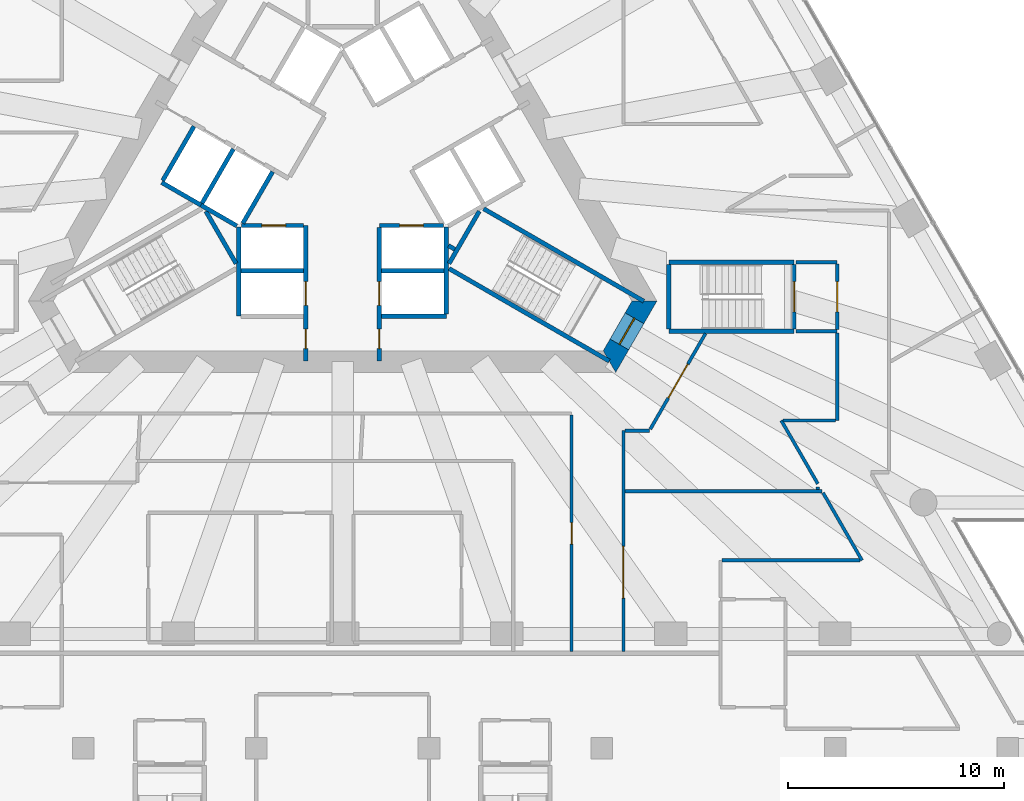
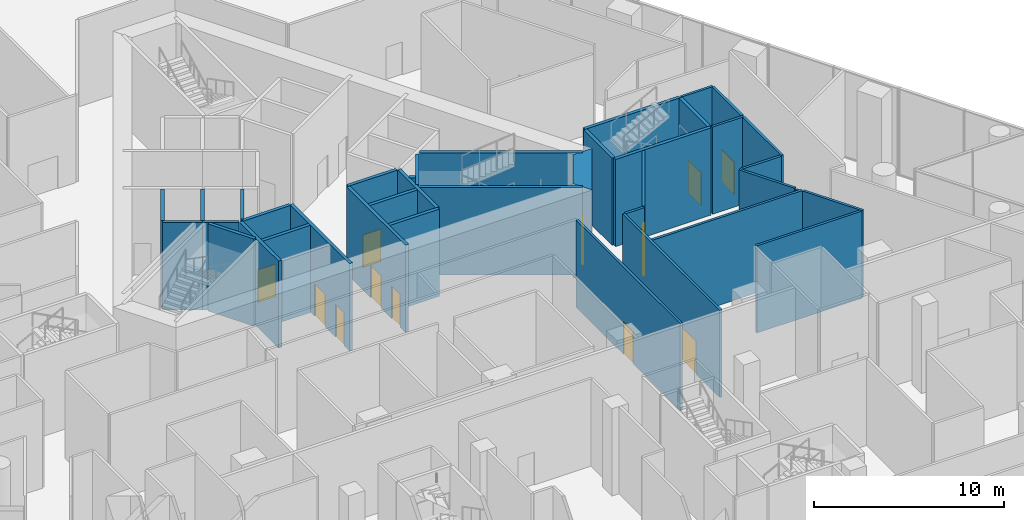
# One storey, part 26 of 36: 38 walls, 12 doors, 12 openings.
"""IFC4 building model written with IfcOpenShell, lengths in metres."""

from ifc_helpers import new_model, si_unit, direction, frame, frame_2d, origin, place, context, subcontext, project, spatial, polyline, rectangle, outline, extrude, material, layer, layer_set, type_object, element, fill, save


model = new_model("IFC4")

# Units and contexts
model_context = context("Model", 3, precision=1e-05, world=origin(), true_north=direction((0.0, 1.0)))
body_context = subcontext(model_context, "Body", "Model", "MODEL_VIEW")
ifc_project = project(units=[si_unit("LENGTHUNIT", "METRE"), si_unit("AREAUNIT", "SQUARE_METRE"), si_unit("VOLUMEUNIT", "CUBIC_METRE"), si_unit("PLANEANGLEUNIT", "RADIAN"), si_unit("MASSUNIT", "GRAM", prefix="KILO")], contexts=[model_context])

# Site, building, storey
site_placement = place(None, origin())
site = spatial("IfcSite", under=ifc_project, at=site_placement, CompositionType="ELEMENT")
building_placement = place(site_placement, origin())
building = spatial("IfcBuilding", under=site, at=building_placement, Name="Triada Interchange Tower", CompositionType="ELEMENT")
storey_placement = place(building_placement, frame((0.0, 0.0, 8.5)))
storey = spatial("IfcBuildingStorey", under=building, at=storey_placement, Name="L01", CompositionType="ELEMENT", Elevation=8.5)

# Walls
ifc_material_1 = material(Name="Concrete C30/37", Category="concrete")
ifc_layer_1 = layer(ifc_material_1, 0.199951171875)
ifc_layer_set_1 = layer_set([ifc_layer_1], Name="CORE WALL 200 EI 120")
wall_type_1 = type_object("IfcWallType", Name="CORE WALL 200 EI 120", PredefinedType="SOLIDWALL", material=ifc_layer_set_1)
wall_1_placement = place(storey_placement, frame((-8.3759765625, -0.70703125, 0.0), z_axis=(0.0, 0.0, 1.0), x_axis=(0.866067520717, -0.499927044236, 0.0)))
element("IfcWall", 1, at=wall_1_placement, inside=storey, type_object=wall_type_1, Name="Wall L01 187", PredefinedType="SOLIDWALL", context=body_context, shape_type="SweptSolid", body=[
    extrude(rectangle(XDim=2.100341796875, YDim=0.199951171875, at=frame_2d((1.05029296875, 0.0))), origin(), (0.0, 0.0, 1.0), 5.60009765625),
])
wall_2_placement = place(storey_placement, frame((-8.325927734375, -0.6201171875, 0.0), z_axis=(0.0, 0.0, 1.0), x_axis=(0.500023687443, 0.866011727401, 0.0)))
element("IfcWall", 2, at=wall_2_placement, inside=storey, type_object=wall_type_1, Name="Wall L01 188", PredefinedType="SOLIDWALL", context=body_context, shape_type="SweptSolid", body=[
    extrude(rectangle(XDim=2.899658203125, YDim=0.199951171875, at=frame_2d((1.44970703125, 0.0))), origin(), (0.0, 0.0, 1.0), 5.60009765625),
])
for number, where, z_axis, x_axis, name in (
    (3, (-4.699951171875, -4.800048828125, 0.0), (0.0, 0.0, 1.0), (1.0, 0.0, 0.0), "Wall L01 189"),
    (4, (1.800048828125, -4.800048828125, 0.0), (0.0, 0.0, 1.0), (1.0, 0.0, 0.0), "Wall L01 190"),
):
    element("IfcWall", number, at=place(storey_placement, frame(where, z_axis=z_axis, x_axis=x_axis)), inside=storey, type_object=wall_type_1, Name=name, PredefinedType="SOLIDWALL", context=body_context, shape_type="SweptSolid", body=[
        extrude(rectangle(XDim=2.89990234375, YDim=0.199951171875, at=frame_2d((1.449951171875, 0.0))), origin(), (0.0, 0.0, 1.0), 5.60009765625),
    ])
wall_3_placement = place(storey_placement, frame((-4.800048828125, -6.89990234375, 0.0), z_axis=(0.0, 0.0, 1.0), x_axis=(0.0, 1.0, 0.0)))
element("IfcWall", 5, at=wall_3_placement, inside=storey, type_object=wall_type_1, Name="Wall L01 191", PredefinedType="SOLIDWALL", context=body_context, shape_type="SweptSolid", body=[
    extrude(rectangle(XDim=4.130859375, YDim=0.199951171875, at=frame_2d((2.0654296875, 0.0))), origin(), (0.0, 0.0, 1.0), 5.60009765625),
])
wall_4_placement = place(storey_placement, frame((1.800048828125, -6.89990234375, 0.0), z_axis=(0.0, 0.0, 1.0), x_axis=(1.0, 0.0, 0.0)))
element("IfcWall", 6, at=wall_4_placement, inside=storey, type_object=wall_type_1, Name="Wall L01 193", PredefinedType="SOLIDWALL", context=body_context, shape_type="SweptSolid", body=[
    extrude(rectangle(XDim=3.0, YDim=0.199951171875, at=frame_2d((1.5, 0.0))), origin(), (0.0, 0.0, 1.0), 5.60009765625),
])

# Wall, openings, doors
wall_5_placement = place(storey_placement, frame((-1.699951171875, -8.97998046875, 0.0), z_axis=(0.0, 0.0, 1.0), x_axis=(0.0, 1.0, 0.0)))
wall_5 = element("IfcWall", 7, at=wall_5_placement, inside=storey, type_object=wall_type_1, Name="Wall L01 194", PredefinedType="SOLIDWALL", context=body_context, shape_type="SweptSolid", body=[
    extrude(rectangle(XDim=6.277099609375, YDim=0.199951171875, at=frame_2d((3.138671875, 0.0))), origin(), (0.0, 0.0, 1.0), 5.60009765625),
])
opening_1_placement = place(wall_5_placement, frame((2.580078125, 0.0, 0.0)))
opening_1 = element("IfcOpeningElement", 8, at=opening_1_placement, cuts=wall_5, Name="Opening LD-LR4", PredefinedType="OPENING", context=body_context, shape_type="SweptSolid", body=[
    extrude(rectangle(XDim=1.10009765625, YDim=2.10009765625, at=frame_2d((0.550048828125, 1.050048828125))), frame((0.0, 0.10986328125, 0.0), z_axis=(0.0, -1.0, 0.0), x_axis=(1.0, 0.0, 0.0)), (0.0, 0.0, 1.0), 0.219970703125),
])
opening_2_placement = place(wall_5_placement, frame((0.580078125, 0.0, 0.0)))
opening_2 = element("IfcOpeningElement", 9, at=opening_2_placement, cuts=wall_5, Name="Opening D01-76", PredefinedType="OPENING", context=body_context, shape_type="SweptSolid", body=[
    extrude(rectangle(XDim=0.89990234375, YDim=2.10009765625, at=frame_2d((0.449951171875, 1.050048828125))), frame((0.0, 0.10986328125, 0.0), z_axis=(0.0, -1.0, 0.0), x_axis=(1.0, 0.0, 0.0)), (0.0, 0.0, 1.0), 0.219970703125),
])
ifc_material_2 = material(Name="Steel S235 door leaf", Category="steel")
door_type_1 = type_object("IfcDoorType", Name="LIFT LANDING DOOR 1100 EI 120", OperationType="SLIDING_TO_LEFT", PredefinedType="DOOR", material=ifc_material_2)
door_1_placement = place(opening_1_placement, origin())
door_1 = element("IfcDoor", 10, at=door_1_placement, inside=storey, type_object=door_type_1, Name="LR4 landing door L01", OperationType="SLIDING_TO_LEFT", OverallHeight=2.10009765625, OverallWidth=1.10009765625, PredefinedType="DOOR", context=body_context, shape_type="SweptSolid", body=[
    extrude(rectangle(XDim=1.10009765625, YDim=2.10009765625, at=frame_2d((0.550048828125, 1.050048828125))), frame((0.0, 0.02490234375, 0.0), z_axis=(0.0, -1.0, 0.0), x_axis=(1.0, 0.0, 0.0)), (0.0, 0.0, 1.0), 0.050048828125),
])
fill(opening_1, door_1)
door_type_2 = type_object("IfcDoorType", Name="SERVICE DOOR 900 EI2 45-C5S200", OperationType="NOTDEFINED", PredefinedType="DOOR", material=ifc_material_2)
door_2_placement = place(opening_2_placement, origin())
door_2 = element("IfcDoor", 11, at=door_2_placement, inside=storey, type_object=door_type_2, Name="Door D01-76 L01", OperationType="SINGLE_SWING_RIGHT", OverallHeight=2.10009765625, OverallWidth=0.89990234375, PredefinedType="DOOR", context=body_context, shape_type="SweptSolid", body=[
    extrude(rectangle(XDim=0.89990234375, YDim=2.10009765625, at=frame_2d((0.449951171875, 1.050048828125))), frame((0.0, 0.02490234375, 0.0), z_axis=(0.0, -1.0, 0.0), x_axis=(1.0, 0.0, 0.0)), (0.0, 0.0, 1.0), 0.050048828125),
])
fill(opening_2, door_2)

# Wall, opening, door
wall_6_placement = place(storey_placement, frame((-4.676025390625, -2.699951171875, 0.0), z_axis=(0.0, 0.0, 1.0), x_axis=(1.0, 0.0, 0.0)))
wall_6 = element("IfcWall", 12, at=wall_6_placement, inside=storey, type_object=wall_type_1, Name="Wall L01 195", PredefinedType="SOLIDWALL", context=body_context, shape_type="SweptSolid", body=[
    extrude(rectangle(XDim=2.873046875, YDim=0.199951171875, at=frame_2d((1.4365234375, 0.0))), origin(), (0.0, 0.0, 1.0), 5.60009765625),
])
opening_3_placement = place(wall_6_placement, frame((0.93701171875, 0.0, 0.0)))
opening_3 = element("IfcOpeningElement", 13, at=opening_3_placement, cuts=wall_6, Name="Opening LD-LR3", PredefinedType="OPENING", context=body_context, shape_type="SweptSolid", body=[
    extrude(rectangle(XDim=1.10009765625, YDim=2.10009765625, at=frame_2d((0.550048828125, 1.050048828125))), frame((0.0, 0.10986328125, 0.0), z_axis=(0.0, -1.0, 0.0), x_axis=(1.0, 0.0, 0.0)), (0.0, 0.0, 1.0), 0.219970703125),
])
door_3_placement = place(opening_3_placement, origin())
door_3 = element("IfcDoor", 14, at=door_3_placement, inside=storey, type_object=door_type_1, Name="LR3 landing door L01", OperationType="SLIDING_TO_LEFT", OverallHeight=2.10009765625, OverallWidth=1.10009765625, PredefinedType="DOOR", context=body_context, shape_type="SweptSolid", body=[
    extrude(rectangle(XDim=1.10009765625, YDim=2.10009765625, at=frame_2d((0.550048828125, 1.050048828125))), frame((0.0, 0.02490234375, 0.0), z_axis=(0.0, -1.0, 0.0), x_axis=(1.0, 0.0, 0.0)), (0.0, 0.0, 1.0), 0.050048828125),
])
fill(opening_3, door_3)

wall_7_placement = place(storey_placement, frame((1.702880859375, -2.699951171875, 0.0), z_axis=(0.0, 0.0, 1.0), x_axis=(1.0, 0.0, 0.0)))
wall_7 = element("IfcWall", 15, at=wall_7_placement, inside=storey, type_object=wall_type_1, Name="Wall L01 196", PredefinedType="SOLIDWALL", context=body_context, shape_type="SweptSolid", body=[
    extrude(rectangle(XDim=2.97314453125, YDim=0.199951171875, at=frame_2d((1.486572265625, 0.0))), origin(), (0.0, 0.0, 1.0), 5.60009765625),
])
opening_4_placement = place(wall_7_placement, frame((0.93603515625, 0.0, 0.0)))
opening_4 = element("IfcOpeningElement", 16, at=opening_4_placement, cuts=wall_7, Name="Opening LD-LR1", PredefinedType="OPENING", context=body_context, shape_type="SweptSolid", body=[
    extrude(rectangle(XDim=1.10009765625, YDim=2.10009765625, at=frame_2d((0.550048828125, 1.050048828125))), frame((0.0, 0.10986328125, 0.0), z_axis=(0.0, -1.0, 0.0), x_axis=(1.0, 0.0, 0.0)), (0.0, 0.0, 1.0), 0.219970703125),
])
door_4_placement = place(opening_4_placement, origin())
door_4 = element("IfcDoor", 17, at=door_4_placement, inside=storey, type_object=door_type_1, Name="LR1 landing door L01", OperationType="SLIDING_TO_LEFT", OverallHeight=2.10009765625, OverallWidth=1.10009765625, PredefinedType="DOOR", context=body_context, shape_type="SweptSolid", body=[
    extrude(rectangle(XDim=1.10009765625, YDim=2.10009765625, at=frame_2d((0.550048828125, 1.050048828125))), frame((0.0, 0.02490234375, 0.0), z_axis=(0.0, -1.0, 0.0), x_axis=(1.0, 0.0, 0.0)), (0.0, 0.0, 1.0), 0.050048828125),
])
fill(opening_4, door_4)

# Wall, openings, doors
wall_8_placement = place(storey_placement, frame((1.699951171875, -8.97998046875, 0.0), z_axis=(0.0, 0.0, 1.0), x_axis=(0.0, 1.0, 0.0)))
wall_8 = element("IfcWall", 18, at=wall_8_placement, inside=storey, type_object=wall_type_1, Name="Wall L01 201", PredefinedType="SOLIDWALL", context=body_context, shape_type="SweptSolid", body=[
    extrude(rectangle(XDim=6.177001953125, YDim=0.199951171875, at=frame_2d((3.08837890625, 0.0))), origin(), (0.0, 0.0, 1.0), 5.60009765625),
])
opening_5_placement = place(wall_8_placement, frame((2.580078125, 0.0, 0.0)))
opening_5 = element("IfcOpeningElement", 19, at=opening_5_placement, cuts=wall_8, Name="Opening LD-LR2", PredefinedType="OPENING", context=body_context, shape_type="SweptSolid", body=[
    extrude(rectangle(XDim=1.10009765625, YDim=2.10009765625, at=frame_2d((0.550048828125, 1.050048828125))), frame((0.0, 0.10986328125, 0.0), z_axis=(0.0, -1.0, 0.0), x_axis=(1.0, 0.0, 0.0)), (0.0, 0.0, 1.0), 0.219970703125),
])
opening_6_placement = place(wall_8_placement, frame((0.580078125, 0.0, 0.0)))
opening_6 = element("IfcOpeningElement", 20, at=opening_6_placement, cuts=wall_8, Name="Opening D01-78", PredefinedType="OPENING", context=body_context, shape_type="SweptSolid", body=[
    extrude(rectangle(XDim=0.89990234375, YDim=2.10009765625, at=frame_2d((0.449951171875, 1.050048828125))), frame((0.0, 0.10986328125, 0.0), z_axis=(0.0, -1.0, 0.0), x_axis=(1.0, 0.0, 0.0)), (0.0, 0.0, 1.0), 0.219970703125),
])
door_5_placement = place(opening_5_placement, origin())
door_5 = element("IfcDoor", 21, at=door_5_placement, inside=storey, type_object=door_type_1, Name="LR2 landing door L01", OperationType="SLIDING_TO_LEFT", OverallHeight=2.10009765625, OverallWidth=1.10009765625, PredefinedType="DOOR", context=body_context, shape_type="SweptSolid", body=[
    extrude(rectangle(XDim=1.10009765625, YDim=2.10009765625, at=frame_2d((0.550048828125, 1.050048828125))), frame((0.0, 0.02490234375, 0.0), z_axis=(0.0, -1.0, 0.0), x_axis=(1.0, 0.0, 0.0)), (0.0, 0.0, 1.0), 0.050048828125),
])
fill(opening_5, door_5)
door_6_placement = place(opening_6_placement, origin())
door_6 = element("IfcDoor", 22, at=door_6_placement, inside=storey, type_object=door_type_2, Name="Door D01-78 L01", OperationType="SINGLE_SWING_LEFT", OverallHeight=2.10009765625, OverallWidth=0.89990234375, PredefinedType="DOOR", context=body_context, shape_type="SweptSolid", body=[
    extrude(rectangle(XDim=0.89990234375, YDim=2.10009765625, at=frame_2d((0.449951171875, 1.050048828125))), frame((0.0, 0.02490234375, 0.0), z_axis=(0.0, -1.0, 0.0), x_axis=(1.0, 0.0, 0.0)), (0.0, 0.0, 1.0), 0.050048828125),
])
fill(opening_6, door_6)

# Walls
wall_9_placement = place(storey_placement, frame((4.800048828125, -6.800048828125, 0.0), z_axis=(0.0, 0.0, 1.0), x_axis=(0.0, 1.0, 0.0)))
element("IfcWall", 23, at=wall_9_placement, inside=storey, type_object=wall_type_1, Name="Wall L01 202", PredefinedType="SOLIDWALL", context=body_context, shape_type="SweptSolid", body=[
    extrude(rectangle(XDim=4.029052734375, YDim=0.199951171875, at=frame_2d((2.0146484375, 0.0))), origin(), (0.0, 0.0, 1.0), 5.60009765625),
])
ifc_layer_2 = layer(ifc_material_1, 0.199951171875)
ifc_layer_set_2 = layer_set([ifc_layer_2], Name="CORE WALL 200 EI 180")
wall_type_2 = type_object("IfcWallType", Name="CORE WALL 200 EI 180", PredefinedType="SOLIDWALL", material=ifc_layer_set_2)
wall_10_placement = place(storey_placement, frame((-6.556884765625, -1.757080078125, 0.0), z_axis=(0.0, 0.0, 1.0), x_axis=(0.8659754619, -0.500086491905, 0.0)))
element("IfcWall", 24, at=wall_10_placement, inside=storey, type_object=wall_type_2, Name="Shaft wall FF1 L01 216", PredefinedType="SOLIDWALL", context=body_context, shape_type="SweptSolid", body=[
    extrude(rectangle(XDim=1.915771484375, YDim=0.199951171875, at=frame_2d((0.9580078125, 0.0))), origin(), (0.0, 0.0, 1.0), 5.60009765625),
])
wall_11_placement = place(storey_placement, frame((-6.507080078125, -1.669921875, 0.0), z_axis=(0.0, 0.0, 1.0), x_axis=(0.50012328804, 0.865954211699, 0.0)))
element("IfcWall", 25, at=wall_11_placement, inside=storey, type_object=wall_type_2, Name="Shaft wall FF1 L01 217", PredefinedType="SOLIDWALL", context=body_context, shape_type="SweptSolid", body=[
    extrude(rectangle(XDim=2.899658203125, YDim=0.199951171875, at=frame_2d((1.44970703125, 0.0))), origin(), (0.0, 0.0, 1.0), 5.60009765625),
])
wall_12_placement = place(storey_placement, frame((-4.618896484375, -2.60009765625, 0.0), z_axis=(0.0, 0.0, 1.0), x_axis=(0.50009492287, 0.865970593103, 0.0)))
element("IfcWall", 26, at=wall_12_placement, inside=storey, type_object=wall_type_2, Name="Shaft wall FF1 L01 219", PredefinedType="SOLIDWALL", context=body_context, shape_type="SweptSolid", body=[
    extrude(rectangle(XDim=2.76123046875, YDim=0.199951171875, at=frame_2d((1.380615234375, 0.0))), origin(), (0.0, 0.0, 1.0), 5.60009765625),
])
ifc_layer_3 = layer(ifc_material_1, 0.199951171875)
ifc_layer_set_3 = layer_set([ifc_layer_3], Name="CORE WALL 200 EI 90")
wall_type_3 = type_object("IfcWallType", Name="CORE WALL 200 EI 90", PredefinedType="SOLIDWALL", material=ifc_layer_set_3)
wall_13_placement = place(storey_placement, frame((4.89990234375, -3.631103515625, 0.0), z_axis=(0.0, 0.0, 1.0), x_axis=(0.86665063443, -0.498915501706, 0.0)))
element("IfcWall", 27, at=wall_13_placement, inside=storey, type_object=wall_type_3, Name="Wall L01 225", PredefinedType="SOLIDWALL", context=body_context, shape_type="SweptSolid", body=[
    extrude(rectangle(XDim=0.340576171875, YDim=0.199951171875, at=frame_2d((0.17041015625, 0.0))), origin(), (0.0, 0.0, 1.0), 5.60009765625),
])
ifc_layer_4 = layer(ifc_material_1, 0.199951171875)
ifc_layer_set_4 = layer_set([ifc_layer_4], Name="CORE WALL 200 REI 240")
wall_type_4 = type_object("IfcWallType", Name="CORE WALL 200 REI 240", PredefinedType="SOLIDWALL", material=ifc_layer_set_4)
for number, where, z_axis, x_axis, name in (
    (28, (-6.3291015625, -2.0380859375, 0.0), (0.0, 0.0, 1.0), (0.500200581029, -0.865909567298, 0.0), "Wall L01 227"),
    (29, (4.928955078125, -4.4619140625, 0.0), (0.0, 0.0, 1.0), (0.500200581029, 0.865909567298, 0.0), "Wall L01 232"),
):
    element("IfcWall", number, at=place(storey_placement, frame(where, z_axis=z_axis, x_axis=x_axis)), inside=storey, type_object=wall_type_4, Name=name, PredefinedType="SOLIDWALL", context=body_context, shape_type="SweptSolid", body=[
        extrude(rectangle(XDim=2.799072265625, YDim=0.199951171875, at=frame_2d((1.3994140625, 0.0))), origin(), (0.0, 0.0, 1.0), 5.60009765625),
    ])
wall_14_placement = place(storey_placement, frame((6.529052734375, -1.922119140625, 0.0), z_axis=(0.0, 0.0, 1.0), x_axis=(0.866036527536, -0.499980732602, 0.0)))
element("IfcWall", 30, at=wall_14_placement, inside=storey, type_object=wall_type_4, Name="Wall L01 233", PredefinedType="SOLIDWALL", context=body_context, shape_type="SweptSolid", body=[
    extrude(rectangle(XDim=8.564208984375, YDim=0.199951171875, at=frame_2d((4.2822265625, 0.0))), origin(), (0.0, 0.0, 1.0), 5.60009765625),
])
wall_15_placement = place(storey_placement, frame((4.928955078125, -4.693115234375, 0.0), z_axis=(0.0, 0.0, 1.0), x_axis=(0.865987152174, -0.50006624788, 0.0)))
element("IfcWall", 31, at=wall_15_placement, inside=storey, type_object=wall_type_4, Name="Wall L01 234", PredefinedType="SOLIDWALL", context=body_context, shape_type="SweptSolid", body=[
    extrude(rectangle(XDim=8.564697265625, YDim=0.199951171875, at=frame_2d((4.2822265625, 0.0))), origin(), (0.0, 0.0, 1.0), 5.60009765625),
])
for number, where, z_axis, x_axis, name in (
    (32, (15.10009765625, -4.39990234375, 0.0), (0.0, 0.0, 1.0), (1.0, 0.0, 0.0), "Wall L01 243"),
    (33, (15.10009765625, -7.60009765625, 0.0), (0.0, 0.0, 1.0), (1.0, 0.0, 0.0), "Wall L01 246"),
):
    element("IfcWall", number, at=place(storey_placement, frame(where, z_axis=z_axis, x_axis=x_axis)), inside=storey, type_object=wall_type_4, Name=name, PredefinedType="SOLIDWALL", context=body_context, shape_type="SweptSolid", body=[
        extrude(rectangle(XDim=5.7998046875, YDim=0.199951171875, at=frame_2d((2.89990234375, 0.0))), origin(), (0.0, 0.0, 1.0), 5.60009765625),
    ])

# Wall, opening, door
wall_16_placement = place(storey_placement, frame((20.89990234375, -7.5, 0.0), z_axis=(0.0, 0.0, 1.0), x_axis=(0.0, 1.0, 0.0)))
wall_16 = element("IfcWall", 34, at=wall_16_placement, inside=storey, type_object=wall_type_4, Name="Wall L01 263", PredefinedType="SOLIDWALL", context=body_context, shape_type="SweptSolid", body=[
    extrude(rectangle(XDim=3.0, YDim=0.199951171875, at=frame_2d((1.5, 0.0))), origin(), (0.0, 0.0, 1.0), 5.60009765625),
])
opening_7_placement = place(wall_16_placement, frame((0.800048828125, 0.0, 0.0)))
opening_7 = element("IfcOpeningElement", 35, at=opening_7_placement, cuts=wall_16, Name="Opening D01-21", PredefinedType="OPENING", context=body_context, shape_type="SweptSolid", body=[
    extrude(rectangle(XDim=1.39990234375, YDim=2.10009765625, at=frame_2d((0.699951171875, 1.050048828125))), frame((0.0, 0.10986328125, 0.0), z_axis=(0.0, -1.0, 0.0), x_axis=(1.0, 0.0, 0.0)), (0.0, 0.0, 1.0), 0.219970703125),
])
door_type_3 = type_object("IfcDoorType", Name="STAIR DOOR 1400 EI2 90-C5S200", OperationType="DOUBLE_DOOR_SINGLE_SWING", PredefinedType="DOOR", material=ifc_material_2)
door_7_placement = place(opening_7_placement, origin())
door_7 = element("IfcDoor", 36, at=door_7_placement, inside=storey, type_object=door_type_3, Name="Door D01-21 L01", OperationType="DOUBLE_DOOR_SINGLE_SWING", OverallHeight=2.10009765625, OverallWidth=1.39990234375, PredefinedType="DOOR", context=body_context, shape_type="SweptSolid", body=[
    extrude(rectangle(XDim=1.39990234375, YDim=2.10009765625, at=frame_2d((0.699951171875, 1.050048828125))), frame((0.0, 0.02490234375, 0.0), z_axis=(0.0, -1.0, 0.0), x_axis=(1.0, 0.0, 0.0)), (0.0, 0.0, 1.0), 0.050048828125),
])
fill(opening_7, door_7)

# Wall
wall_17_placement = place(storey_placement, frame((15.10009765625, -7.5, 0.0), z_axis=(0.0, 0.0, 1.0), x_axis=(0.0, 1.0, 0.0)))
element("IfcWall", 37, at=wall_17_placement, inside=storey, type_object=wall_type_4, Name="Wall L01 264", PredefinedType="SOLIDWALL", context=body_context, shape_type="SweptSolid", body=[
    extrude(rectangle(XDim=3.0, YDim=0.199951171875, at=frame_2d((1.5, 0.0))), origin(), (0.0, 0.0, 1.0), 5.60009765625),
])

# Wall, opening, door
ifc_material_3 = material(Name="Concrete C70/85", Category="concrete")
ifc_layer_5 = layer(ifc_material_3, 1.0)
ifc_layer_set_5 = layer_set([ifc_layer_5], Name="Core wall P 1000")
wall_type_5 = type_object("IfcWallType", Name="Core wall P 1000", PredefinedType="SHEAR", material=ifc_layer_set_5)
wall_18_placement = place(storey_placement, frame((12.35498046875, -9.0, -0.39990234375), z_axis=(0.0, 0.0, 1.0), x_axis=(0.500077567175, 0.865980615723, 0.0)))
wall_18 = element("IfcWall", 38, at=wall_18_placement, inside=storey, type_object=wall_type_5, Name="Core wall WP05 L01", PredefinedType="SHEAR", context=body_context, shape_type="SweptSolid", body=[
    extrude(outline(polyline([(-0.2880859375, -0.5), (1.616943359375, -0.5), (3.52197265625, -0.5), (2.945068359375, 0.5), (1.6171875, 0.49951171875), (0.2890625, 0.4990234375), (-0.2880859375, -0.5)])), origin(), (0.0, 0.0, 1.0), 6.0),
])
opening_8_placement = place(wall_18_placement, frame((0.9169921875, 0.0, 0.39990234375)))
opening_8 = element("IfcOpeningElement", 39, at=opening_8_placement, cuts=wall_18, Name="Opening D01-73", PredefinedType="OPENING", context=body_context, shape_type="SweptSolid", body=[
    extrude(rectangle(XDim=1.39990234375, YDim=2.10009765625, at=frame_2d((0.699951171875, 1.050048828125))), frame((0.0, 0.510009765625, 0.0), z_axis=(0.0, -1.0, 0.0), x_axis=(1.0, 0.0, 0.0)), (0.0, 0.0, 1.0), 1.02001953125),
])
door_8_placement = place(opening_8_placement, origin())
door_8 = element("IfcDoor", 40, at=door_8_placement, inside=storey, type_object=door_type_3, Name="Door D01-73 L01", OperationType="DOUBLE_DOOR_SINGLE_SWING", OverallHeight=2.10009765625, OverallWidth=1.39990234375, PredefinedType="DOOR", context=body_context, shape_type="SweptSolid", body=[
    extrude(rectangle(XDim=1.39990234375, YDim=2.10009765625, at=frame_2d((0.699951171875, 1.050048828125))), frame((0.0, 0.02490234375, 0.0), z_axis=(0.0, -1.0, 0.0), x_axis=(1.0, 0.0, 0.0)), (0.0, 0.0, 1.0), 0.050048828125),
])
fill(opening_8, door_8)

# Walls
ifc_material_4 = material(Name="Gypsum board partition")
ifc_layer_6 = layer(ifc_material_4, 0.14990234375)
ifc_layer_set_6 = layer_set([ifc_layer_6], Name="PARTITION 150")
wall_type_6 = type_object("IfcWallType", Name="PARTITION 150", PredefinedType="PARTITIONING", material=ifc_layer_set_6)
wall_19_placement = place(storey_placement, frame((22.0, -14.925048828125, 0.0), z_axis=(0.0, 0.0, 1.0), x_axis=(0.0, 1.0, 0.0)))
element("IfcWall", 41, at=wall_19_placement, inside=storey, type_object=wall_type_6, Name="Wall L01 159", PredefinedType="PARTITIONING", context=body_context, shape_type="SweptSolid", body=[
    extrude(rectangle(XDim=0.1201171875, YDim=0.14990234375, at=frame_2d((0.06005859375, 0.0))), origin(), (0.0, 0.0, 1.0), 5.60009765625),
])
ifc_layer_7 = layer(ifc_material_4, 0.14990234375)
ifc_layer_set_7 = layer_set([ifc_layer_7], Name="PARTITION 150 EI 180")
wall_type_7 = type_object("IfcWallType", Name="PARTITION 150 EI 180", PredefinedType="PARTITIONING", material=ifc_layer_set_7)
for number, where, z_axis, x_axis, name in (
    (42, (21.0, -7.60009765625, 0.0), (0.0, 0.0, 1.0), (1.0, 0.0, 0.0), "Wall L01 7"),
    (43, (21.0, -4.39990234375, 0.0), (0.0, 0.0, 1.0), (1.0, 0.0, 0.0), "Wall L01 10"),
):
    element("IfcWall", number, at=place(storey_placement, frame(where, z_axis=z_axis, x_axis=x_axis)), inside=storey, type_object=wall_type_7, Name=name, PredefinedType="PARTITIONING", context=body_context, shape_type="SweptSolid", body=[
        extrude(rectangle(XDim=1.89990234375, YDim=0.14990234375, at=frame_2d((0.949951171875, 0.0))), origin(), (0.0, 0.0, 1.0), 5.60009765625),
    ])

# Wall, opening, door
wall_20_placement = place(storey_placement, frame((22.89990234375, -7.52490234375, 0.0), z_axis=(0.0, 0.0, 1.0), x_axis=(0.0, 1.0, 0.0)))
wall_20 = element("IfcWall", 44, at=wall_20_placement, inside=storey, type_object=wall_type_7, Name="Wall L01 23", PredefinedType="PARTITIONING", context=body_context, shape_type="SweptSolid", body=[
    extrude(rectangle(XDim=3.0498046875, YDim=0.14990234375, at=frame_2d((1.52490234375, 0.0))), origin(), (0.0, 0.0, 1.0), 5.60009765625),
])
opening_9_placement = place(wall_20_placement, frame((0.824951171875, 0.0, 0.0)))
opening_9 = element("IfcOpeningElement", 45, at=opening_9_placement, cuts=wall_20, Name="Opening D01-22", PredefinedType="OPENING", context=body_context, shape_type="SweptSolid", body=[
    extrude(rectangle(XDim=1.39990234375, YDim=2.10009765625, at=frame_2d((0.699951171875, 1.050048828125))), frame((0.0, 0.0849609375, 0.0), z_axis=(0.0, -1.0, 0.0), x_axis=(1.0, 0.0, 0.0)), (0.0, 0.0, 1.0), 0.169921875),
])
door_9_placement = place(opening_9_placement, origin())
door_9 = element("IfcDoor", 46, at=door_9_placement, inside=storey, type_object=door_type_3, Name="Door D01-22 L01", OperationType="DOUBLE_DOOR_SINGLE_SWING", OverallHeight=2.10009765625, OverallWidth=1.39990234375, PredefinedType="DOOR", context=body_context, shape_type="SweptSolid", body=[
    extrude(rectangle(XDim=1.39990234375, YDim=2.10009765625, at=frame_2d((0.699951171875, 1.050048828125))), frame((0.0, 0.02490234375, 0.0), z_axis=(0.0, -1.0, 0.0), x_axis=(1.0, 0.0, 0.0)), (0.0, 0.0, 1.0), 0.050048828125),
])
fill(opening_9, door_9)

ifc_layer_8 = layer(ifc_material_4, 0.14990234375)
ifc_layer_set_8 = layer_set([ifc_layer_8], Name="PARTITION 150 EI 90")
wall_type_8 = type_object("IfcWallType", Name="PARTITION 150 EI 90", PredefinedType="PARTITIONING", material=ifc_layer_set_8)
wall_21_placement = place(storey_placement, frame((10.60009765625, -22.425048828125, 0.0), z_axis=(0.0, 0.0, 1.0), x_axis=(0.0, 1.0, 0.0)))
wall_21 = element("IfcWall", 47, at=wall_21_placement, inside=storey, type_object=wall_type_8, Name="Wall L01 132", PredefinedType="PARTITIONING", context=body_context, shape_type="SweptSolid", body=[
    extrude(rectangle(XDim=10.949951171875, YDim=0.14990234375, at=frame_2d((5.47509765625, 0.0))), origin(), (0.0, 0.0, 1.0), 5.60009765625),
])
opening_10_placement = place(wall_21_placement, frame((4.97509765625, 0.0, 0.0)))
opening_10 = element("IfcOpeningElement", 48, at=opening_10_placement, cuts=wall_21, Name="Opening D01-59", PredefinedType="OPENING", context=body_context, shape_type="SweptSolid", body=[
    extrude(rectangle(XDim=1.0, YDim=2.10009765625, at=frame_2d((0.5, 1.050048828125))), frame((0.0, 0.0849609375, 0.0), z_axis=(0.0, -1.0, 0.0), x_axis=(1.0, 0.0, 0.0)), (0.0, 0.0, 1.0), 0.169921875),
])
door_type_4 = type_object("IfcDoorType", Name="ROOM DOOR 1000 EI2 45-C5S200", OperationType="NOTDEFINED", PredefinedType="DOOR", material=ifc_material_2)
door_10_placement = place(opening_10_placement, origin())
door_10 = element("IfcDoor", 49, at=door_10_placement, inside=storey, type_object=door_type_4, Name="Door D01-59 L01", OperationType="SINGLE_SWING_RIGHT", OverallHeight=2.10009765625, OverallWidth=1.0, PredefinedType="DOOR", context=body_context, shape_type="SweptSolid", body=[
    extrude(rectangle(XDim=1.0, YDim=2.10009765625, at=frame_2d((0.5, 1.050048828125))), frame((0.0, 0.02490234375, 0.0), z_axis=(0.0, -1.0, 0.0), x_axis=(1.0, 0.0, 0.0)), (0.0, 0.0, 1.0), 0.050048828125),
])
fill(opening_10, door_10)

wall_22_placement = place(storey_placement, frame((13.0, -22.425048828125, 0.0), z_axis=(0.0, 0.0, 1.0), x_axis=(0.0, 1.0, 0.0)))
wall_22 = element("IfcWall", 50, at=wall_22_placement, inside=storey, type_object=wall_type_8, Name="Wall L01 143", PredefinedType="PARTITIONING", context=body_context, shape_type="SweptSolid", body=[
    extrude(rectangle(XDim=10.22509765625, YDim=0.14990234375, at=frame_2d((5.112548828125, 0.0))), origin(), (0.0, 0.0, 1.0), 5.60009765625),
])
opening_11_placement = place(wall_22_placement, frame((2.47509765625, 0.0, 0.0)))
opening_11 = element("IfcOpeningElement", 51, at=opening_11_placement, cuts=wall_22, Name="Opening D01-41", PredefinedType="OPENING", context=body_context, shape_type="SweptSolid", body=[
    extrude(rectangle(XDim=2.39990234375, YDim=2.10009765625, at=frame_2d((1.199951171875, 1.050048828125))), frame((0.0, 0.0849609375, 0.0), z_axis=(0.0, -1.0, 0.0), x_axis=(1.0, 0.0, 0.0)), (0.0, 0.0, 1.0), 0.169921875),
])
door_type_5 = type_object("IfcDoorType", Name="SHOP AND HALL ENTRANCE DOOR 2400 EI2 45-C5S200", OperationType="DOUBLE_DOOR_SINGLE_SWING", PredefinedType="DOOR", material=ifc_material_2)
door_11_placement = place(opening_11_placement, origin())
door_11 = element("IfcDoor", 52, at=door_11_placement, inside=storey, type_object=door_type_5, Name="Door D01-41 L01", OperationType="DOUBLE_DOOR_SINGLE_SWING", OverallHeight=2.10009765625, OverallWidth=2.39990234375, PredefinedType="DOOR", context=body_context, shape_type="SweptSolid", body=[
    extrude(rectangle(XDim=2.39990234375, YDim=2.10009765625, at=frame_2d((1.199951171875, 1.050048828125))), frame((0.0, 0.02490234375, 0.0), z_axis=(0.0, -1.0, 0.0), x_axis=(1.0, 0.0, 0.0)), (0.0, 0.0, 1.0), 0.050048828125),
])
fill(opening_11, door_11)

# Walls
wall_23_placement = place(storey_placement, frame((13.074951171875, -15.0, 0.0), z_axis=(0.0, 0.0, 1.0), x_axis=(1.0, 0.0, 0.0)))
element("IfcWall", 53, at=wall_23_placement, inside=storey, type_object=wall_type_8, Name="Wall L01 145", PredefinedType="PARTITIONING", context=body_context, shape_type="SweptSolid", body=[
    extrude(rectangle(XDim=9.1240234375, YDim=0.14990234375, at=frame_2d((4.56201171875, 0.0))), origin(), (0.0, 0.0, 1.0), 5.60009765625),
])
wall_24_placement = place(storey_placement, frame((13.074951171875, -12.199951171875, 0.0), z_axis=(0.0, 0.0, 1.0), x_axis=(1.0, 0.0, 0.0)))
element("IfcWall", 54, at=wall_24_placement, inside=storey, type_object=wall_type_8, Name="Wall L01 146", PredefinedType="PARTITIONING", context=body_context, shape_type="SweptSolid", body=[
    extrude(rectangle(XDim=1.1279296875, YDim=0.14990234375, at=frame_2d((0.56396484375, 0.0))), origin(), (0.0, 0.0, 1.0), 5.60009765625),
])

# Wall, opening, door
wall_25_placement = place(storey_placement, frame((14.24609375, -12.125, 0.0), z_axis=(0.0, 0.0, 1.0), x_axis=(0.500018862428, 0.866014513283, 0.0)))
wall_25 = element("IfcWall", 55, at=wall_25_placement, inside=storey, type_object=wall_type_8, Name="Wall L01 147", PredefinedType="PARTITIONING", context=body_context, shape_type="SweptSolid", body=[
    extrude(rectangle(XDim=5.109619140625, YDim=0.14990234375, at=frame_2d((2.5546875, 0.0))), origin(), (0.0, 0.0, 1.0), 5.60009765625),
])
opening_12_placement = place(wall_25_placement, frame((1.6689453125, 0.0, 0.0)))
opening_12 = element("IfcOpeningElement", 56, at=opening_12_placement, cuts=wall_25, Name="Opening D01-43", PredefinedType="OPENING", context=body_context, shape_type="SweptSolid", body=[
    extrude(rectangle(XDim=1.800048828125, YDim=2.10009765625, at=frame_2d((0.89990234375, 1.050048828125))), frame((0.0, 0.0849609375, 0.0), z_axis=(0.0, -1.0, 0.0), x_axis=(1.0, 0.0, 0.0)), (0.0, 0.0, 1.0), 0.169921875),
])
door_type_6 = type_object("IfcDoorType", Name="SHOP AND HALL ENTRANCE DOOR 1800 EI2 90-C5S200", OperationType="DOUBLE_DOOR_SINGLE_SWING", PredefinedType="DOOR", material=ifc_material_2)
door_12_placement = place(opening_12_placement, origin())
door_12 = element("IfcDoor", 57, at=door_12_placement, inside=storey, type_object=door_type_6, Name="Door D01-43 L01", OperationType="DOUBLE_DOOR_SINGLE_SWING", OverallHeight=2.10009765625, OverallWidth=1.800048828125, PredefinedType="DOOR", context=body_context, shape_type="SweptSolid", body=[
    extrude(rectangle(XDim=1.800048828125, YDim=2.10009765625, at=frame_2d((0.89990234375, 1.050048828125))), frame((0.0, 0.02490234375, 0.0), z_axis=(0.0, -1.0, 0.0), x_axis=(1.0, 0.0, 0.0)), (0.0, 0.0, 1.0), 0.050048828125),
])
fill(opening_12, door_12)

# Walls
wall_26_placement = place(storey_placement, frame((20.30908203125, -11.72509765625, 0.0), z_axis=(0.0, 0.0, 1.0), x_axis=(0.499849486556, -0.866112285324, 0.0)))
element("IfcWall", 58, at=wall_26_placement, inside=storey, type_object=wall_type_8, Name="Wall L01 151", PredefinedType="PARTITIONING", context=body_context, shape_type="SweptSolid", body=[
    extrude(rectangle(XDim=3.3828125, YDim=0.14990234375, at=frame_2d((1.69140625, 0.0))), origin(), (0.0, 0.0, 1.0), 5.60009765625),
])
wall_27_placement = place(storey_placement, frame((22.242919921875, -15.074951171875, 0.0), z_axis=(0.0, 0.0, 1.0), x_axis=(0.499995765644, -0.866027848477, 0.0)))
element("IfcWall", 59, at=wall_27_placement, inside=storey, type_object=wall_type_8, Name="Wall L01 152", PredefinedType="PARTITIONING", context=body_context, shape_type="SweptSolid", body=[
    extrude(rectangle(XDim=3.6083984375, YDim=0.14990234375, at=frame_2d((1.80419921875, 0.0))), origin(), (0.0, 0.0, 1.0), 5.60009765625),
])
wall_28_placement = place(storey_placement, frame((17.574951171875, -18.199951171875, 0.0), z_axis=(0.0, 0.0, 1.0), x_axis=(1.0, 0.0, 0.0)))
element("IfcWall", 60, at=wall_28_placement, inside=storey, type_object=wall_type_8, Name="Wall L01 154", PredefinedType="PARTITIONING", context=body_context, shape_type="SweptSolid", body=[
    extrude(rectangle(XDim=6.385009765625, YDim=0.14990234375, at=frame_2d((3.1923828125, 0.0))), origin(), (0.0, 0.0, 1.0), 5.60009765625),
])
wall_29_placement = place(storey_placement, frame((22.89990234375, -11.72509765625, 0.0), z_axis=(0.0, 0.0, 1.0), x_axis=(0.0, 1.0, 0.0)))
element("IfcWall", 61, at=wall_29_placement, inside=storey, type_object=wall_type_8, Name="Wall L01 156", PredefinedType="PARTITIONING", context=body_context, shape_type="SweptSolid", body=[
    extrude(rectangle(XDim=4.050048828125, YDim=0.14990234375, at=frame_2d((2.02490234375, 0.0))), origin(), (0.0, 0.0, 1.0), 5.60009765625),
])
wall_30_placement = place(storey_placement, frame((20.39501953125, -11.72509765625, 0.0), z_axis=(0.0, 0.0, 1.0), x_axis=(1.0, 0.0, 0.0)))
element("IfcWall", 62, at=wall_30_placement, inside=storey, type_object=wall_type_8, Name="Wall L01 158", PredefinedType="PARTITIONING", context=body_context, shape_type="SweptSolid", body=[
    extrude(rectangle(XDim=2.429931640625, YDim=0.14990234375, at=frame_2d((1.21484375, 0.0))), origin(), (0.0, 0.0, 1.0), 5.60009765625),
])

save(model, "model.ifc")
